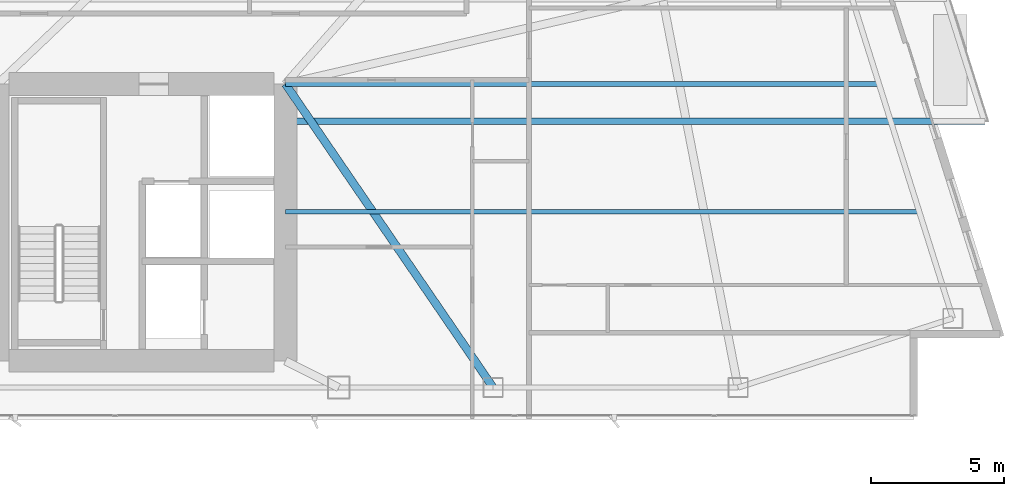
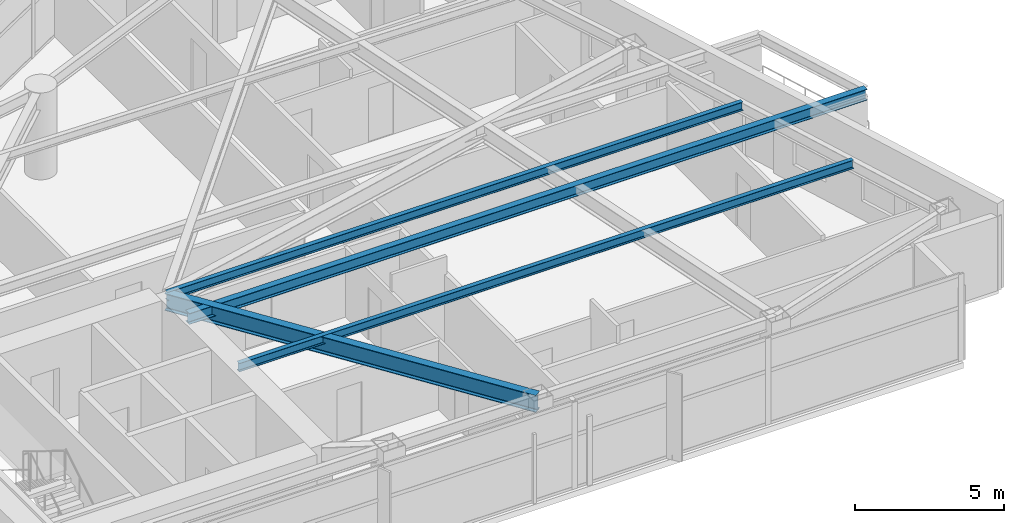
# One storey, part 13 of 28: 4 beams.
"""IFC4 building model written with IfcOpenShell, lengths in metres."""

import ifcopenshell
import ifcopenshell.guid

model = None  # the IFC model being written
_history = None  # IfcOwnerHistory: only IFC2X3 demands one
_inside = {}  # id of a spatial element -> (the spatial element, [elements in it])
_under = {}  # id of a project, library or spatial element -> (it, [spatial elements below it])
_declared = {}  # id of a project -> (the project, [libraries it declares])
_typed = {}  # id of a type object -> (the type object, [elements of that type])
_made_of = {}  # id of a material, layer set ... -> (it, [elements and type objects made of it])


def new_model(schema):
    """Start an empty IFC model of exactly this schema.

    Asked for "IFC4X3", IfcOpenShell would pick the latest addendum, in which some entities
    have other attributes; the version numbers below select the first issue.
    IFC2X3 requires an IfcOwnerHistory on every rooted entity: one is made here for all.
    """
    global model, _history
    if schema == "IFC4X3":
        model = ifcopenshell.file(schema_version=(4, 3, 0, 0))
    else:
        model = ifcopenshell.file(schema=schema)
    _inside.clear()
    _under.clear()
    _declared.clear()
    _typed.clear()
    _made_of.clear()
    _history = None
    if model.schema == "IFC2X3":
        org = make("IfcOrganization", Name="unknown")
        user = make(
            "IfcPersonAndOrganization",
            ThePerson=make("IfcPerson", FamilyName="unknown"),
            TheOrganization=org,
        )
        app = make(
            "IfcApplication",
            ApplicationDeveloper=org,
            Version="unknown",
            ApplicationFullName="unknown",
            ApplicationIdentifier="unknown",
        )
        _history = make(
            "IfcOwnerHistory",
            OwningUser=user,
            OwningApplication=app,
            ChangeAction="ADDED",
            CreationDate=0,
        )
    return model


def make(cls, **values):
    """One entity of the class cls with the attributes given. An attribute that is None is left unset."""
    return model.create_entity(
        cls, **{name: value for name, value in values.items() if value is not None}
    )


def rooted(cls, **values):
    """An entity with a GlobalId (a new one), such as an element, a storey or a relation."""
    return make(cls, GlobalId=ifcopenshell.guid.new(), OwnerHistory=_history, **values)


def si_unit(unit_type, name, prefix=None):
    """IfcSIUnit, for example si_unit("LENGTHUNIT", "METRE", prefix="MILLI")."""
    return make("IfcSIUnit", UnitType=unit_type, Prefix=prefix, Name=name)


def assignment(units):
    """IfcUnitAssignment: the units of a project."""
    return None if units is None else make("IfcUnitAssignment", Units=units)


def point(xyz):
    """IfcCartesianPoint."""
    return None if xyz is None else make("IfcCartesianPoint", Coordinates=xyz)


def direction(xyz):
    """IfcDirection."""
    return None if xyz is None else make("IfcDirection", DirectionRatios=xyz)


def frame(location, z_axis=None, x_axis=None):
    """IfcAxis2Placement3D, a coordinate frame: its origin and axes. An axis left out is left unset."""
    return make(
        "IfcAxis2Placement3D",
        Location=point(location),
        Axis=direction(z_axis),
        RefDirection=direction(x_axis),
    )


def frame_2d(location, x_axis=None):
    """IfcAxis2Placement2D, a coordinate frame in the plane: its origin and x axis."""
    return make(
        "IfcAxis2Placement2D", Location=point(location), RefDirection=direction(x_axis)
    )


def origin():
    """The frame at (0, 0, 0) with its axes left unset."""
    return frame((0.0, 0.0, 0.0))


def origin_2d():
    """The frame at (0, 0) in the plane with its x axis left unset."""
    return frame_2d((0.0, 0.0))


def place(relative_to, where):
    """IfcLocalPlacement: puts the frame where relative to a parent placement (None: the world)."""
    return make(
        "IfcLocalPlacement", PlacementRelTo=relative_to, RelativePlacement=where
    )


def context(
    kind, dimensions, precision=None, world=None, true_north=None, identifier=None
):
    """IfcGeometricRepresentationContext, for example the 3D "Model" context."""
    return make(
        "IfcGeometricRepresentationContext",
        ContextIdentifier=identifier,
        ContextType=kind,
        CoordinateSpaceDimension=dimensions,
        Precision=precision,
        WorldCoordinateSystem=world,
        TrueNorth=true_north,
    )


def subcontext(parent, identifier, kind, view, scale=None):
    """IfcGeometricRepresentationSubContext, for example "Body" below "Model"."""
    return make(
        "IfcGeometricRepresentationSubContext",
        ContextIdentifier=identifier,
        ContextType=kind,
        ParentContext=parent,
        TargetScale=scale,
        TargetView=view,
    )


def project(units=None, contexts=None):
    """IfcProject with its units and contexts."""
    return rooted(
        "IfcProject",
        Name="project",
        RepresentationContexts=contexts,
        UnitsInContext=assignment(units),
    )


def spatial(cls, under=None, at=None, **own):
    """A site, building, storey or space (cls), placed at a placement, below another one or the project."""
    s = rooted(cls, ObjectPlacement=at, **own)
    if under is not None:
        _under.setdefault(under.id(), (under, []))[1].append(s)
    return s


def profile(cls, at=None, kind="AREA", **sizes):
    """A parametric profile (cls). Its sizes go by their IFC names, for example OverallWidth=200.0."""
    return make(cls, ProfileType=kind, Position=at, **sizes)


def i_section(**sizes):
    """IfcIShapeProfileDef."""
    return profile("IfcIShapeProfileDef", **sizes)


def extrude(swept, where, along, depth):
    """IfcExtrudedAreaSolid: the profile swept, set in the frame where, extruded along a direction by depth."""
    return make(
        "IfcExtrudedAreaSolid",
        SweptArea=swept,
        Position=where,
        ExtrudedDirection=direction(along),
        Depth=depth,
    )


def shape(context_of_items, identifier, shape_type, items):
    """IfcShapeRepresentation: the items that make up one representation, for example the "Body"."""
    return make(
        "IfcShapeRepresentation",
        ContextOfItems=context_of_items,
        RepresentationIdentifier=identifier,
        RepresentationType=shape_type,
        Items=items,
    )


def material(Name=None, Category=None):
    """IfcMaterial."""
    return make("IfcMaterial", Name=Name, Category=Category)


def material_profile(
    of_material, cross_section, Name=None, Category=None, Priority=None
):
    """IfcMaterialProfile: a cross section and its material."""
    return make(
        "IfcMaterialProfile",
        Name=Name,
        Material=of_material,
        Profile=cross_section,
        Priority=Priority,
        Category=Category,
    )


def profile_set(profiles, Name=None, composite=None):
    """IfcMaterialProfileSet."""
    return make(
        "IfcMaterialProfileSet",
        Name=Name,
        MaterialProfiles=profiles,
        CompositeProfile=composite,
    )


def made_of(thing, what):
    """Note that an element or type object is made of a material, layer set ...; save() writes the relation."""
    if what is not None:
        _made_of.setdefault(what.id(), (what, []))[1].append(thing)
    return thing


def type_object(cls, material=None, **own):
    """A type object (cls), such as IfcWallType, which elements share."""
    return made_of(rooted(cls, **own), material)


def element(
    cls,
    number,
    at=None,
    inside=None,
    cuts=None,
    type_object=None,
    material=None,
    context=None,
    identifier="Body",
    shape_type=None,
    held_by="IfcProductDefinitionShape",
    body=None,
    shapes=None,
    **own,
):
    """One element of the class cls, such as IfcWall. Its Tag is "e" and its number.

    at: its placement. inside: the storey or other place that contains it. cuts: it is an
    opening in that element (IfcRelVoidsElement). A single representation is given by context,
    identifier, shape_type and body (its items); several are given by shapes. held_by: the class
    of the entity that holds the representations. save() writes the other relations.
    """
    e = rooted(cls, Tag="e%d" % number, ObjectPlacement=at, **own)
    if body is not None:
        shapes = [shape(context, identifier, shape_type, body)]
    if shapes is not None:
        e.Representation = make(held_by, Representations=shapes)
    if inside is not None:
        _inside.setdefault(inside.id(), (inside, []))[1].append(e)
    if cuts is not None:
        rooted(
            "IfcRelVoidsElement", RelatingBuildingElement=cuts, RelatedOpeningElement=e
        )
    if type_object is not None:
        _typed.setdefault(type_object.id(), (type_object, []))[1].append(e)
    return made_of(e, material)


def aggregate(whole, parts):
    """IfcRelAggregates: a whole, such as a stair, and the parts it consists of."""
    return rooted("IfcRelAggregates", RelatingObject=whole, RelatedObjects=parts)


def save(model, path):
    """Write the relations noted so far, then the file.

    IfcRelAggregates (storeys below a building ...), IfcRelContainedInSpatialStructure (elements
    in a storey), IfcRelDefinesByType, IfcRelAssociatesMaterial and IfcRelDeclares: one each for
    every whole, place, type object, material and project.
    """
    for whole, parts in _under.values():
        aggregate(whole, parts)
    for where, things in _inside.values():
        rooted(
            "IfcRelContainedInSpatialStructure",
            RelatedElements=things,
            RelatingStructure=where,
        )
    for kind, things in _typed.values():
        rooted("IfcRelDefinesByType", RelatedObjects=things, RelatingType=kind)
    for what, things in _made_of.values():
        rooted("IfcRelAssociatesMaterial", RelatedObjects=things, RelatingMaterial=what)
    for by, libraries in _declared.values():
        rooted("IfcRelDeclares", RelatingContext=by, RelatedDefinitions=libraries)
    model.write(path)


model = new_model("IFC4")

# Units and contexts
model_context = context("Model", 3, precision=1e-05, world=origin(), true_north=direction((0.0, 1.0)))
body_context = subcontext(model_context, "Body", "Model", "MODEL_VIEW")
ifc_project = project(units=[si_unit("LENGTHUNIT", "METRE"), si_unit("AREAUNIT", "SQUARE_METRE"), si_unit("VOLUMEUNIT", "CUBIC_METRE"), si_unit("PLANEANGLEUNIT", "RADIAN"), si_unit("MASSUNIT", "GRAM", prefix="KILO")], contexts=[model_context])

# Site, building, storey
site_placement = place(None, origin())
site = spatial("IfcSite", under=ifc_project, at=site_placement, CompositionType="ELEMENT")
building_placement = place(site_placement, origin())
building = spatial("IfcBuilding", under=site, at=building_placement, Name="Calvorn Quay Hotel", CompositionType="ELEMENT")
storey_placement = place(building_placement, frame((0.0, 0.0, 127.800048828125)))
storey = spatial("IfcBuildingStorey", under=building, at=storey_placement, Name="L31", CompositionType="ELEMENT", Elevation=127.800048828125)

# Beams
ifc_material_1 = material(Name="Steel Q355B", Category="steel")
ifc_material_profile_1 = material_profile(ifc_material_1, i_section(OverallWidth=0.25, OverallDepth=0.449951171875, WebThickness=0.011962890625, FlangeThickness=0.01611328125, FilletRadius=0.01611328125, at=origin_2d()), Name="HN450x250x12x16")
ifc_profile_set_1 = profile_set([ifc_material_profile_1], Name="Steel Q355B")
beam_type_1 = type_object("IfcBeamType", Name="BM-CANT-BALC", PredefinedType="BEAM", material=ifc_profile_set_1)
beam_1_placement = place(storey_placement, frame((32.39990234375, 13.60009765625, 3.31494140625), z_axis=(1.0, 0.0, 0.0), x_axis=(0.0, 1.0, 0.0)))
element("IfcBeam", 1, at=beam_1_placement, inside=storey, type_object=beam_type_1, Name="Cantilever Balcony Beam BCB-L32-1A", PredefinedType="BEAM", context=body_context, shape_type="SweptSolid", body=[
    extrude(i_section(OverallWidth=0.25, OverallDepth=0.449951171875, WebThickness=0.011962890625, FlangeThickness=0.01611328125, FilletRadius=0.01611328125, at=origin_2d()), origin(), (0.0, 0.0, 1.0), 26.26904296875),
])
ifc_material_2 = material(Name="Steel Q390GJC", Category="steel")
ifc_material_profile_2 = material_profile(ifc_material_2, i_section(OverallWidth=0.300048828125, OverallDepth=0.699951171875, WebThickness=0.012939453125, FlangeThickness=0.02392578125, FilletRadius=0.02392578125, at=origin_2d()), Name="HN700x300x13x24")
ifc_profile_set_2 = profile_set([ifc_material_profile_2], Name="Steel Q390GJC")
beam_type_2 = type_object("IfcBeamType", Name="BM-GIRD-MAIN", PredefinedType="BEAM", material=ifc_profile_set_2)
beam_2_placement = place(storey_placement, frame((40.199951171875, 3.60009765625, 3.18994140625), z_axis=(-0.564689618177, 0.825303359452, 0.0), x_axis=(-0.825303359452, -0.564689618177, 0.0)))
element("IfcBeam", 2, at=beam_2_placement, inside=storey, type_object=beam_type_2, Name="Beam BG-L31-E6", PredefinedType="BEAM", context=body_context, shape_type="SweptSolid", body=[
    extrude(i_section(OverallWidth=0.300048828125, OverallDepth=0.699951171875, WebThickness=0.012939453125, FlangeThickness=0.02392578125, FilletRadius=0.02392578125, at=origin_2d()), origin(), (0.0, 0.0, 1.0), 13.81298828125),
])
ifc_material_3 = material(Name="Steel Q355B", Category="steel")
ifc_material_profile_3 = material_profile(ifc_material_3, i_section(OverallWidth=0.175048828125, OverallDepth=0.35009765625, WebThickness=0.007080078125, FlangeThickness=0.010986328125, FilletRadius=0.013916015625, at=origin_2d()), Name="HN350x175x7x11")
ifc_profile_set_3 = profile_set([ifc_material_profile_3], Name="Steel Q355B")
beam_type_3 = type_object("IfcBeamType", Name="BM-JOIST-SEC", PredefinedType="JOIST", material=ifc_profile_set_3)
beam_3_placement = place(storey_placement, frame((32.39990234375, 10.199951171875, 3.364990234375), z_axis=(1.0, 0.0, 0.0), x_axis=(0.0, 1.0, 0.0)))
element("IfcBeam", 3, at=beam_3_placement, inside=storey, type_object=beam_type_3, Name="Beam BJ-L31-E1", PredefinedType="JOIST", context=body_context, shape_type="SweptSolid", body=[
    extrude(i_section(OverallWidth=0.175048828125, OverallDepth=0.35009765625, WebThickness=0.007080078125, FlangeThickness=0.010986328125, FilletRadius=0.013916015625, at=origin_2d()), origin(), (0.0, 0.0, 1.0), 23.801025390625),
])
beam_4_placement = place(storey_placement, frame((32.39990234375, 15.0, 3.364990234375), z_axis=(1.0, 0.0, 0.0), x_axis=(0.0, 1.0, 0.0)))
element("IfcBeam", 4, at=beam_4_placement, inside=storey, type_object=beam_type_3, Name="Beam BJ-L31-E2", PredefinedType="JOIST", context=body_context, shape_type="SweptSolid", body=[
    extrude(i_section(OverallWidth=0.175048828125, OverallDepth=0.35009765625, WebThickness=0.007080078125, FlangeThickness=0.010986328125, FilletRadius=0.013916015625, at=origin_2d()), origin(), (0.0, 0.0, 1.0), 22.2880859375),
])

save(model, "model.ifc")
